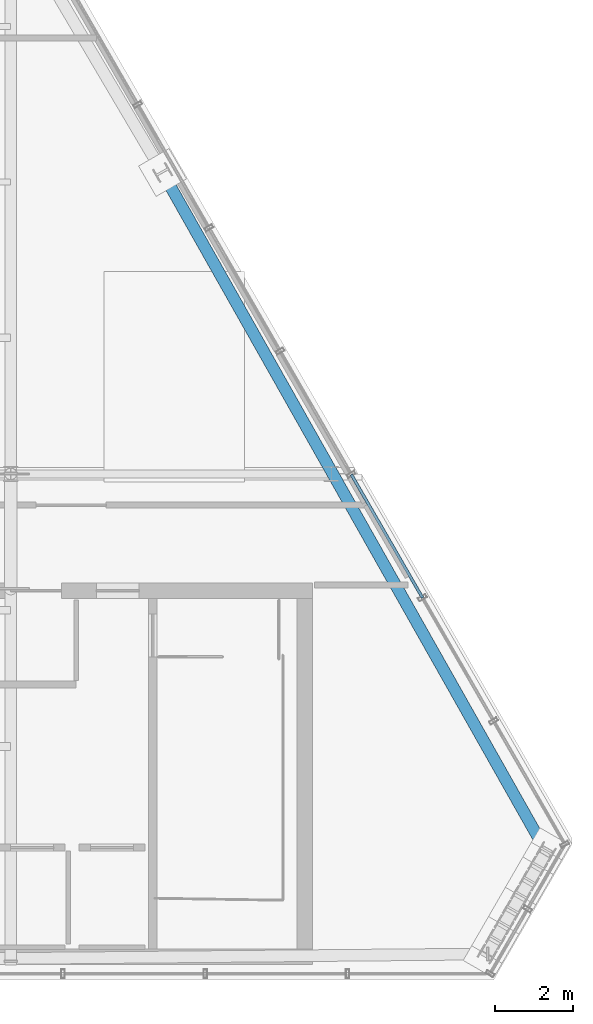
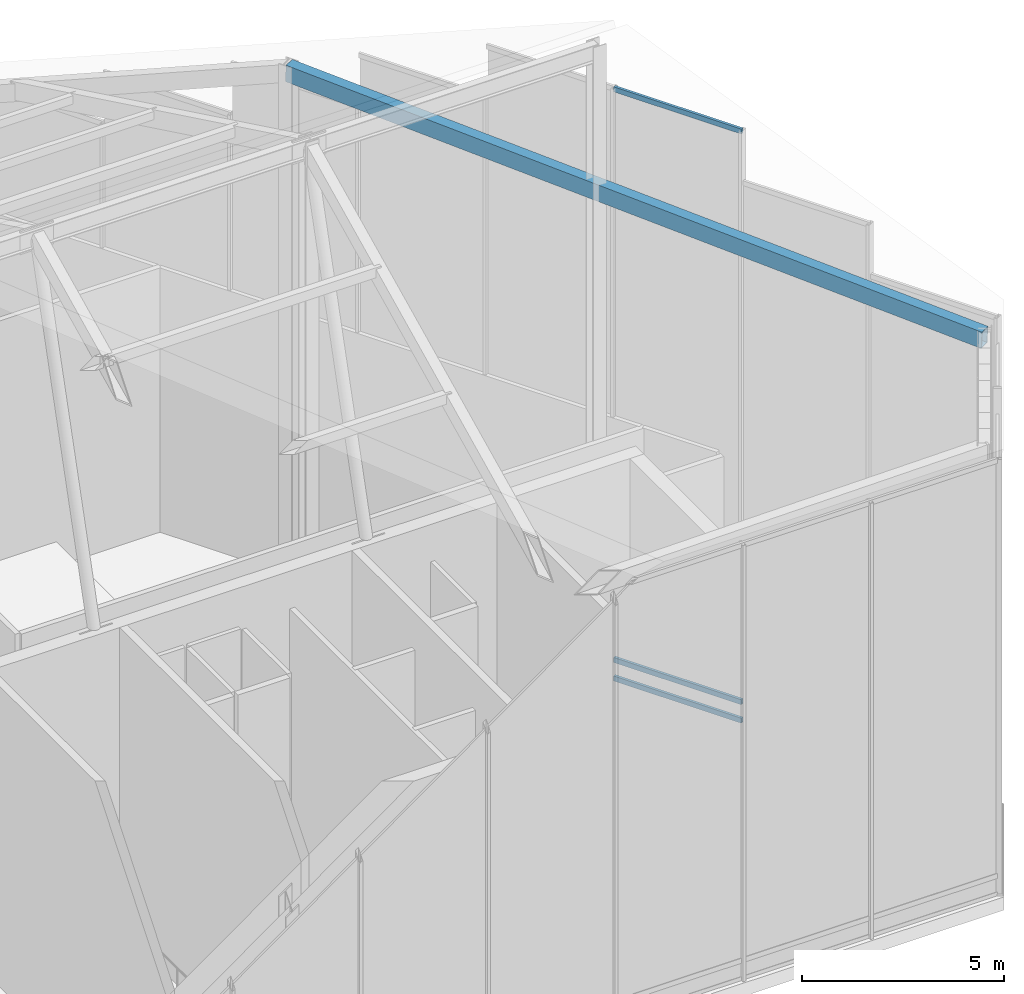
# One storey, part 25 of 36: 4 members, 1 element without a shape of its own.
"""IFC4 building model written with IfcOpenShell, lengths in metres."""

from ifc_helpers import new_model, si_unit, direction, frame, origin, origin_2d, place, context, subcontext, project, spatial, hollow_rectangle, extrude, material, layer, layer_set, material_profile, profile_set, type_object, element, aggregate, save


model = new_model("IFC4")

# Units and contexts
model_context = context("Model", 3, precision=1e-05, world=origin(), true_north=direction((0.0, 1.0)))
body_context = subcontext(model_context, "Body", "Model", "MODEL_VIEW")
ifc_project = project(units=[si_unit("LENGTHUNIT", "METRE"), si_unit("AREAUNIT", "SQUARE_METRE"), si_unit("VOLUMEUNIT", "CUBIC_METRE"), si_unit("PLANEANGLEUNIT", "RADIAN"), si_unit("MASSUNIT", "GRAM", prefix="KILO")], contexts=[model_context])

# Site, building, storey
site_placement = place(None, origin())
site = spatial("IfcSite", under=ifc_project, at=site_placement, CompositionType="ELEMENT")
building_placement = place(site_placement, origin())
building = spatial("IfcBuilding", under=site, at=building_placement, Name="Ndaravel Arena Tower", CompositionType="ELEMENT")
storey_placement = place(building_placement, frame((0.0, 0.0, 308.10009765625)))
storey = spatial("IfcBuildingStorey", under=building, at=storey_placement, Name="Roof Crown", CompositionType="ELEMENT", Elevation=308.10009765625)

# Member
ifc_material_1 = material(Name="Steel S355", Category="steel")
ifc_material_profile_1 = material_profile(ifc_material_1, hollow_rectangle(XDim=0.300048828125, YDim=0.5, WallThickness=0.02001953125, at=origin_2d()), Name="RHS 500x300x20")
ifc_profile_set_1 = profile_set([ifc_material_profile_1], Name="Steel S355")
member_type_1 = type_object("IfcMemberType", Name="MEM-CRN-RAFTER", PredefinedType="RAFTER", material=ifc_profile_set_1)
member_1_placement = place(storey_placement, frame((63.556884765625, 8.29736328125, 14.46826171875), z_axis=(-0.491302642554, 0.869688305437, 0.047581139187), x_axis=(-0.870674452062, -0.491859734606, 0.0)))
element("IfcMember", 1, at=member_1_placement, inside=storey, type_object=member_type_1, Name="Crown Eaves Ring Member CER-09", PredefinedType="RAFTER", context=body_context, shape_type="SweptSolid", body=[
    extrude(hollow_rectangle(XDim=0.300048828125, YDim=0.5, WallThickness=0.02001953125, at=origin_2d()), origin(), (0.0, 0.0, 1.0), 20.062255859375),
])

# Curtain wall, members
ifc_material_2 = material(Name="Aluminium", Category="aluminium")
ifc_layer = layer(ifc_material_2, 0.179931640625)
ifc_layer_set = layer_set([ifc_layer], Name="Aluminium")
curtain_wall_type = type_object("IfcCurtainWallType", Name="CW-SYS-06", PredefinedType="NOTDEFINED", material=ifc_layer_set)
curtain_wall_placement = place(storey_placement, origin())
curtain_wall = element("IfcCurtainWall", 2, at=curtain_wall_placement, inside=storey, type_object=curtain_wall_type, Name="Roof Crown Sloped Crown Lantern Curtain Wall CW-CROWN-E03-S03", PredefinedType="NOTDEFINED")
ifc_material_3 = material(Name="Aluminium", Category="aluminium")
ifc_material_profile_2 = material_profile(ifc_material_3, hollow_rectangle(XDim=0.074951171875, YDim=0.14990234375, WallThickness=0.00390625, at=origin_2d()), Name="CW TRANSOM 75x150x4")
ifc_profile_set_2 = profile_set([ifc_material_profile_2], Name="Aluminium")
member_type_2 = type_object("IfcMemberType", Name="MEM-CW-TRN150", PredefinedType="USERDEFINED", material=ifc_profile_set_2)
member_2_placement = place(storey_placement, frame((60.37744140625, 14.81982421875, 0.039794921875), z_axis=(-0.500001750229, 0.866024393287, 0.0), x_axis=(-0.866024393287, -0.500001750229, 0.0)))
member_2 = element("IfcMember", 3, at=member_2_placement, type_object=member_type_2, Name="CW-CROWN-E03-S03 Transom 01", ObjectType="TRANSOM", PredefinedType="USERDEFINED", context=body_context, shape_type="SweptSolid", body=[
    extrude(hollow_rectangle(XDim=0.074951171875, YDim=0.14990234375, WallThickness=0.00390625, at=origin_2d()), origin(), (0.0, 0.0, 1.0), 3.6572265625),
])
member_3_placement = place(storey_placement, frame((60.37744140625, 14.81982421875, 0.599853515625), z_axis=(-0.500001750229, 0.866024393287, 0.0), x_axis=(-0.866024393287, -0.500001750229, 0.0)))
member_3 = element("IfcMember", 4, at=member_3_placement, type_object=member_type_2, Name="CW-CROWN-E03-S03 Transom 02", ObjectType="TRANSOM", PredefinedType="USERDEFINED", context=body_context, shape_type="SweptSolid", body=[
    extrude(hollow_rectangle(XDim=0.074951171875, YDim=0.14990234375, WallThickness=0.00390625, at=origin_2d()), origin(), (0.0, 0.0, 1.0), 3.6572265625),
])
member_4_placement = place(storey_placement, frame((60.37744140625, 14.81982421875, 17.87939453125), z_axis=(-0.500001750229, 0.866024393287, 0.0), x_axis=(-0.866024393287, -0.500001750229, 0.0)))
member_4 = element("IfcMember", 5, at=member_4_placement, type_object=member_type_2, Name="CW-CROWN-E03-S03 Transom 03", ObjectType="TRANSOM", PredefinedType="USERDEFINED", context=body_context, shape_type="SweptSolid", body=[
    extrude(hollow_rectangle(XDim=0.074951171875, YDim=0.14990234375, WallThickness=0.00390625, at=origin_2d()), origin(), (0.0, 0.0, 1.0), 3.6572265625),
])
aggregate(curtain_wall, [member_2, member_3, member_4])

save(model, "model.ifc")
